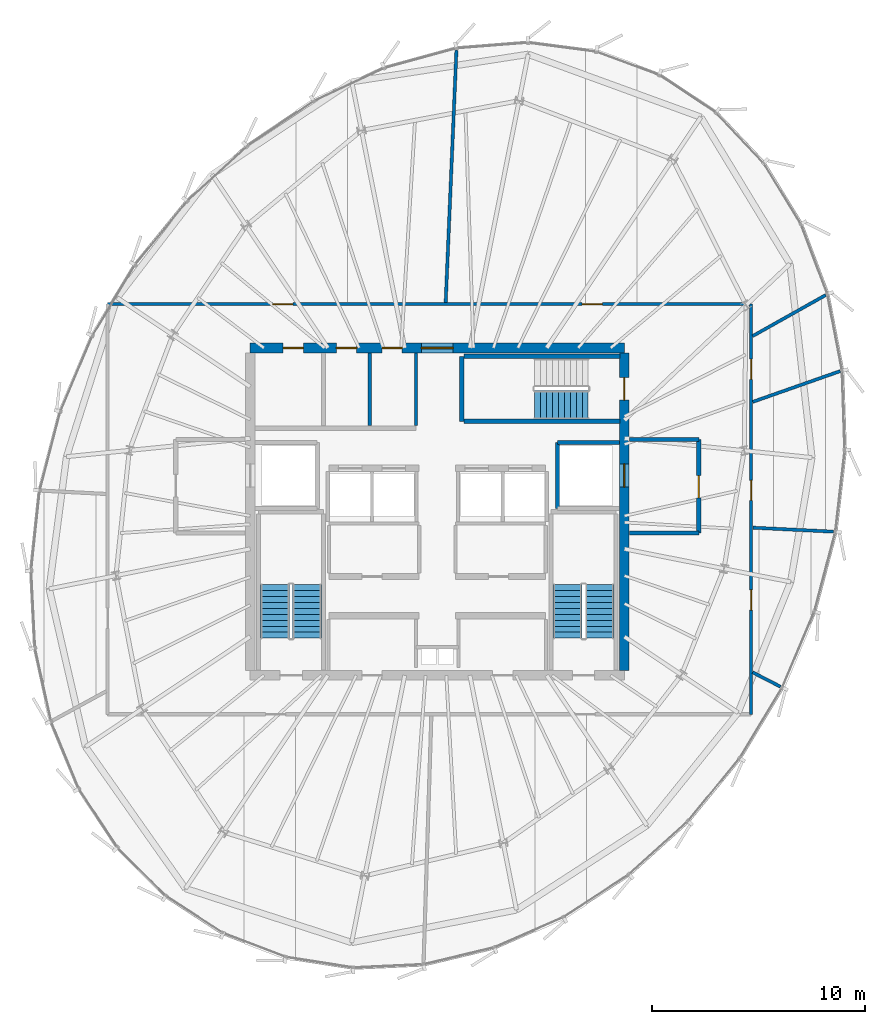
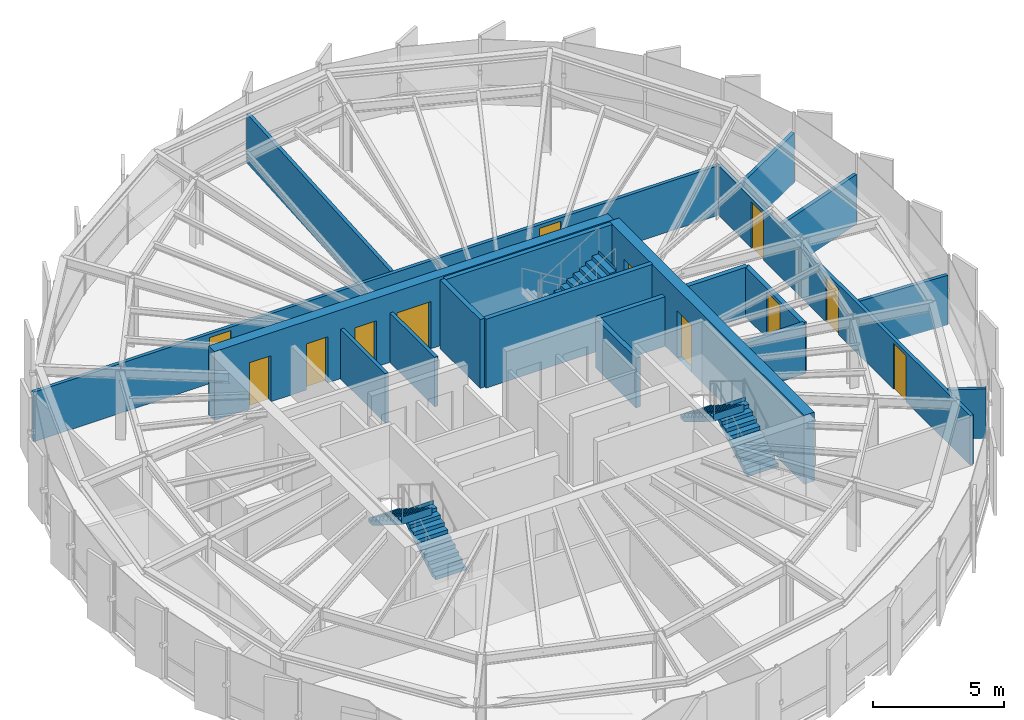
# One storey, part 26 of 31: 19 walls, 12 doors, 5 stair flights, 12 openings, 3 elements without a shape of their own.
"""IFC4 building model written with IfcOpenShell, lengths in metres."""

from ifc_helpers import new_model, si_unit, direction, frame, frame_2d, origin, place, context, subcontext, project, spatial, polyline, rectangle, outline, extrude, source, transform, mapped, material, layer, layer_set, type_object, element, fill, aggregate, save


model = new_model("IFC4")

# Units and contexts
model_context = context("Model", 3, precision=1e-05, world=origin(), true_north=direction((0.0, 1.0)))
body_context = subcontext(model_context, "Body", "Model", "MODEL_VIEW")
ifc_project = project(units=[si_unit("LENGTHUNIT", "METRE"), si_unit("AREAUNIT", "SQUARE_METRE"), si_unit("VOLUMEUNIT", "CUBIC_METRE"), si_unit("PLANEANGLEUNIT", "RADIAN"), si_unit("MASSUNIT", "GRAM", prefix="KILO"), si_unit("THERMODYNAMICTEMPERATUREUNIT", "KELVIN")], contexts=[model_context])

# Site, building, storey
site_placement = place(None, origin())
site = spatial("IfcSite", under=ifc_project, at=site_placement, CompositionType="ELEMENT")
building_placement = place(site_placement, origin())
building = spatial("IfcBuilding", under=site, at=building_placement, Name="Kethvar Cultural Tower", CompositionType="ELEMENT")
storey_placement = place(building_placement, frame((0.0, 0.0, 287.050048828125)))
storey = spatial("IfcBuildingStorey", under=building, at=storey_placement, Name="L76", CompositionType="ELEMENT", Elevation=287.050048828125)

# Wall, openings, doors
ifc_material_1 = material(Name="Concrete C50/60", Category="concrete")
ifc_layer_1 = layer(ifc_material_1, 0.449951171875, Name="Concrete C50/60", Category="concrete")
ifc_layer_set_1 = layer_set([ifc_layer_1], Name="Concrete C50/60 (450 mm)")
wall_type_1 = type_object("IfcWallType", Name="WL-CORE-450", PredefinedType="SHEAR", material=ifc_layer_set_1)
wall_1_placement = place(storey_placement, frame((55.60009765625, 35.5, 0.0), z_axis=(0.0, 0.0, 1.0), x_axis=(-1.0, 0.0, 0.0)))
wall_1 = element("IfcWall", 1, at=wall_1_placement, inside=storey, type_object=wall_type_1, Name="L76 Core Shear Wall N", PredefinedType="SHEAR", context=body_context, shape_type="SweptSolid", body=[
    extrude(rectangle(XDim=17.60009765625, YDim=0.449951171875, at=frame_2d((8.800048828125, 0.0))), origin(), (0.0, 0.0, 1.0), 3.2099609375),
])
opening_1_placement = place(wall_1_placement, frame((8.050048828125, 0.0, 0.0)))
opening_1 = element("IfcOpeningElement", 2, at=opening_1_placement, cuts=wall_1, Name="Opening D-L76-LN", PredefinedType="OPENING", context=body_context, shape_type="SweptSolid", body=[
    extrude(rectangle(XDim=1.5, YDim=2.199951171875, at=frame_2d((0.75, 1.10009765625))), frame((0.0, 0.23486328125, 0.0), z_axis=(0.0, -1.0, 0.0), x_axis=(1.0, 0.0, 0.0)), (0.0, 0.0, 1.0), 0.469970703125),
])
opening_2_placement = place(wall_1_placement, frame((15.10009765625, 0.0, 0.0)))
opening_2 = element("IfcOpeningElement", 3, at=opening_2_placement, cuts=wall_1, Name="Opening D-L76-E1", PredefinedType="OPENING", context=body_context, shape_type="SweptSolid", body=[
    extrude(rectangle(XDim=0.949951171875, YDim=2.14990234375, at=frame_2d((0.47509765625, 1.074951171875))), frame((0.0, 0.23486328125, 0.0), z_axis=(0.0, -1.0, 0.0), x_axis=(1.0, 0.0, 0.0)), (0.0, 0.0, 1.0), 0.469970703125),
])
opening_3_placement = place(wall_1_placement, frame((12.60009765625, 0.0, 0.0)))
opening_3 = element("IfcOpeningElement", 4, at=opening_3_placement, cuts=wall_1, Name="Opening D-L76-W1", PredefinedType="OPENING", context=body_context, shape_type="SweptSolid", body=[
    extrude(rectangle(XDim=0.949951171875, YDim=2.14990234375, at=frame_2d((0.47509765625, 1.074951171875))), frame((0.0, 0.23486328125, 0.0), z_axis=(0.0, -1.0, 0.0), x_axis=(1.0, 0.0, 0.0)), (0.0, 0.0, 1.0), 0.469970703125),
])
opening_4_placement = place(wall_1_placement, frame((10.449951171875, 0.0, 0.0)))
opening_4 = element("IfcOpeningElement", 5, at=opening_4_placement, cuts=wall_1, Name="Opening D-L76-W2", PredefinedType="OPENING", context=body_context, shape_type="SweptSolid", body=[
    extrude(rectangle(XDim=0.949951171875, YDim=2.14990234375, at=frame_2d((0.47509765625, 1.074951171875))), frame((0.0, 0.23486328125, 0.0), z_axis=(0.0, -1.0, 0.0), x_axis=(1.0, 0.0, 0.0)), (0.0, 0.0, 1.0), 0.469970703125),
])
ifc_material_2 = material(Name="Architectural Oak Timber", Category="wood")
door_type_1 = type_object("IfcDoorType", Name="DR-DBL-FD60-1500", OperationType="DOUBLE_DOOR_SINGLE_SWING", PredefinedType="DOOR", material=ifc_material_2)
shared_shape_1 = source(origin(), body_context, "Body", "SweptSolid", [
    extrude(rectangle(XDim=1.5, YDim=2.199951171875, at=frame_2d((0.75, 1.10009765625))), frame((0.0, 0.02490234375, 0.0), z_axis=(0.0, -1.0, 0.0), x_axis=(1.0, 0.0, 0.0)), (0.0, 0.0, 1.0), 0.050048828125),
])
door_1_placement = place(opening_1_placement, origin())
door_1 = element("IfcDoor", 6, at=door_1_placement, inside=storey, type_object=door_type_1, Name="L76 Lift Lobby Concourse Door", OperationType="DOUBLE_DOOR_SINGLE_SWING", OverallHeight=2.199951171875, OverallWidth=1.5, PredefinedType="DOOR", context=body_context, shape_type="MappedRepresentation", body=[
    mapped(shared_shape_1, transform((0.0, 0.0, 0.0), scale=1.0)),
])
fill(opening_1, door_1)
door_type_2 = type_object("IfcDoorType", Name="DR-FD30-950", OperationType="NOTDEFINED", PredefinedType="DOOR", material=ifc_material_2)
shared_shape_2 = source(origin(), body_context, "Body", "SweptSolid", [
    extrude(rectangle(XDim=0.949951171875, YDim=2.14990234375, at=frame_2d((0.47509765625, 1.074951171875))), frame((0.0, 0.02490234375, 0.0), z_axis=(0.0, -1.0, 0.0), x_axis=(1.0, 0.0, 0.0)), (0.0, 0.0, 1.0), 0.050048828125),
])
door_2_placement = place(opening_2_placement, origin())
door_2 = element("IfcDoor", 7, at=door_2_placement, inside=storey, type_object=door_type_2, Name="L76 Electrical Switchgear Door", OperationType="SINGLE_SWING_RIGHT", OverallHeight=2.14990234375, OverallWidth=0.949951171875, PredefinedType="DOOR", context=body_context, shape_type="MappedRepresentation", body=[
    mapped(shared_shape_2, transform((0.0, 0.0, 0.0), scale=1.0)),
])
fill(opening_2, door_2)
door_3_placement = place(opening_3_placement, origin())
door_3 = element("IfcDoor", 8, at=door_3_placement, inside=storey, type_object=door_type_2, Name="L76 Accessible Washroom Door", OperationType="SINGLE_SWING_LEFT", OverallHeight=2.14990234375, OverallWidth=0.949951171875, PredefinedType="DOOR", context=body_context, shape_type="MappedRepresentation", body=[
    mapped(shared_shape_2, transform((0.0, 0.0, 0.0), scale=1.0)),
])
fill(opening_3, door_3)
door_4_placement = place(opening_4_placement, origin())
door_4 = element("IfcDoor", 9, at=door_4_placement, inside=storey, type_object=door_type_2, Name="L76 Public Washroom Door", OperationType="SINGLE_SWING_RIGHT", OverallHeight=2.14990234375, OverallWidth=0.949951171875, PredefinedType="DOOR", context=body_context, shape_type="MappedRepresentation", body=[
    mapped(shared_shape_2, transform((0.0, 0.0, 0.0), scale=1.0)),
])
fill(opening_4, door_4)

wall_2_placement = place(storey_placement, frame((55.60009765625, 20.340087890625, 0.0), z_axis=(0.0, 0.0, 1.0), x_axis=(0.0, 1.0, 0.0)))
wall_2 = element("IfcWall", 10, at=wall_2_placement, inside=storey, type_object=wall_type_1, Name="L76 Core Shear Wall E", PredefinedType="SHEAR", context=body_context, shape_type="SweptSolid", body=[
    extrude(rectangle(XDim=14.919921875, YDim=0.449951171875, at=frame_2d((7.4599609375, 0.0))), origin(), (0.0, 0.0, 1.0), 3.2099609375),
])
opening_5_placement = place(wall_2_placement, frame((12.7099609375, 0.0, 0.0)))
opening_5 = element("IfcOpeningElement", 11, at=opening_5_placement, cuts=wall_2, Name="Opening D-L76-S3", PredefinedType="OPENING", context=body_context, shape_type="SweptSolid", body=[
    extrude(rectangle(XDim=1.050048828125, YDim=2.14990234375, at=frame_2d((0.52490234375, 1.074951171875))), frame((0.0, 0.23486328125, 0.0), z_axis=(0.0, -1.0, 0.0), x_axis=(1.0, 0.0, 0.0)), (0.0, 0.0, 1.0), 0.469970703125),
])
opening_6_placement = place(wall_2_placement, frame((8.610107421875, 0.0, 0.0)))
opening_6 = element("IfcOpeningElement", 12, at=opening_6_placement, cuts=wall_2, Name="Opening LD-2", PredefinedType="OPENING", context=body_context, shape_type="SweptSolid", body=[
    extrude(rectangle(XDim=1.10009765625, YDim=2.199951171875, at=frame_2d((0.550048828125, 1.10009765625))), frame((0.0, 0.23486328125, 0.0), z_axis=(0.0, -1.0, 0.0), x_axis=(1.0, 0.0, 0.0)), (0.0, 0.0, 1.0), 0.469970703125),
])
ifc_material_3 = material(Name="Steel S355J2", Category="steel")
door_type_3 = type_object("IfcDoorType", Name="DR-FD60-1050", OperationType="NOTDEFINED", PredefinedType="DOOR", material=ifc_material_3)
shared_shape_3 = source(origin(), body_context, "Body", "SweptSolid", [
    extrude(rectangle(XDim=1.050048828125, YDim=2.14990234375, at=frame_2d((0.52490234375, 1.074951171875))), frame((0.0, 0.02490234375, 0.0), z_axis=(0.0, -1.0, 0.0), x_axis=(1.0, 0.0, 0.0)), (0.0, 0.0, 1.0), 0.050048828125),
])
door_5_placement = place(opening_5_placement, origin())
door_5 = element("IfcDoor", 13, at=door_5_placement, inside=storey, type_object=door_type_3, Name="L76 Exit Stair 3 Door", OperationType="SINGLE_SWING_LEFT", OverallHeight=2.14990234375, OverallWidth=1.050048828125, PredefinedType="DOOR", context=body_context, shape_type="MappedRepresentation", body=[
    mapped(shared_shape_3, transform((0.0, 0.0, 0.0), scale=1.0)),
])
fill(opening_5, door_5)
door_type_4 = type_object("IfcDoorType", Name="DR-LIFT-SLIDE-1100", OperationType="NOTDEFINED", PredefinedType="DOOR", material=ifc_material_3)
shared_shape_4 = source(origin(), body_context, "Body", "SweptSolid", [
    extrude(rectangle(XDim=1.10009765625, YDim=2.199951171875, at=frame_2d((0.550048828125, 1.10009765625))), frame((0.0, 0.02490234375, 0.0), z_axis=(0.0, -1.0, 0.0), x_axis=(1.0, 0.0, 0.0)), (0.0, 0.0, 1.0), 0.050048828125),
])
door_6_placement = place(opening_6_placement, origin())
door_6 = element("IfcDoor", 14, at=door_6_placement, inside=storey, type_object=door_type_4, Name="L76 Firefighting Lift Landing Door FFL-02", OperationType="SLIDING_TO_RIGHT", OverallHeight=2.199951171875, OverallWidth=1.10009765625, PredefinedType="DOOR", context=body_context, shape_type="MappedRepresentation", body=[
    mapped(shared_shape_4, transform((0.0, 0.0, 0.0), scale=1.0)),
])
fill(opening_6, door_6)

# Wall
ifc_material_4 = material(Name="Gypsum Fireboard Partition")
ifc_layer_2 = layer(ifc_material_4, 0.14990234375, Name="Gypsum Fireboard Partition")
ifc_layer_set_2 = layer_set([ifc_layer_2], Name="Gypsum Fireboard Partition (150 mm)")
wall_type_2 = type_object("IfcWallType", Name="WL-FIRE-150", PredefinedType="PARTITIONING", material=ifc_layer_set_2)
wall_3_placement = place(storey_placement, frame((45.800048828125, 31.85009765625, 0.0), z_axis=(0.0, 0.0, 1.0), x_axis=(0.0, 1.0, 0.0)))
element("IfcWall", 15, at=wall_3_placement, inside=storey, type_object=wall_type_2, Name="L76 Sanitary Spine Wall", PredefinedType="PARTITIONING", context=body_context, shape_type="SweptSolid", body=[
    extrude(rectangle(XDim=3.414794921875, YDim=0.14990234375, at=frame_2d((1.70751953125, 0.0))), origin(), (0.0, 0.0, 1.0), 2.31494140625),
])

# Wall, openings, doors
wall_4_placement = place(storey_placement, frame((61.56396484375, 18.26904296875, 0.0), z_axis=(0.0, 0.0, 1.0), x_axis=(0.0, 1.0, 0.0)))
wall_4 = element("IfcWall", 16, at=wall_4_placement, inside=storey, type_object=wall_type_2, Name="L76 Corridor Rated Wall E", PredefinedType="PARTITIONING", context=body_context, shape_type="SweptSolid", body=[
    extrude(rectangle(XDim=19.29296875, YDim=0.14990234375, at=frame_2d((9.646484375, 0.0))), origin(), (0.0, 0.0, 1.0), 2.31494140625),
])
opening_7_placement = place(wall_4_placement, frame((4.902587890625, 0.0, 0.0)))
opening_7 = element("IfcOpeningElement", 17, at=opening_7_placement, cuts=wall_4, Name="Opening D-L76-03", PredefinedType="OPENING", context=body_context, shape_type="SweptSolid", body=[
    extrude(rectangle(XDim=0.949951171875, YDim=2.14990234375, at=frame_2d((0.47509765625, 1.074951171875))), frame((0.0, 0.0849609375, 0.0), z_axis=(0.0, -1.0, 0.0), x_axis=(1.0, 0.0, 0.0)), (0.0, 0.0, 1.0), 0.169921875),
])
opening_8_placement = place(wall_4_placement, frame((10.05859375, 0.0, 0.0)))
opening_8 = element("IfcOpeningElement", 18, at=opening_8_placement, cuts=wall_4, Name="Opening D-L76-04", PredefinedType="OPENING", context=body_context, shape_type="SweptSolid", body=[
    extrude(rectangle(XDim=0.949951171875, YDim=2.14990234375, at=frame_2d((0.47509765625, 1.074951171875))), frame((0.0, 0.0849609375, 0.0), z_axis=(0.0, -1.0, 0.0), x_axis=(1.0, 0.0, 0.0)), (0.0, 0.0, 1.0), 0.169921875),
])
opening_9_placement = place(wall_4_placement, frame((15.756103515625, 0.0, 0.0)))
opening_9 = element("IfcOpeningElement", 19, at=opening_9_placement, cuts=wall_4, Name="Opening D-L76-05", PredefinedType="OPENING", context=body_context, shape_type="SweptSolid", body=[
    extrude(rectangle(XDim=0.949951171875, YDim=2.14990234375, at=frame_2d((0.47509765625, 1.074951171875))), frame((0.0, 0.0849609375, 0.0), z_axis=(0.0, -1.0, 0.0), x_axis=(1.0, 0.0, 0.0)), (0.0, 0.0, 1.0), 0.169921875),
])
door_7_placement = place(opening_7_placement, origin())
door_7 = element("IfcDoor", 20, at=door_7_placement, inside=storey, type_object=door_type_2, Name="L76 Art Monograph Boutique 03 Door", OperationType="SINGLE_SWING_LEFT", OverallHeight=2.14990234375, OverallWidth=0.949951171875, PredefinedType="DOOR", context=body_context, shape_type="MappedRepresentation", body=[
    mapped(shared_shape_2, transform((0.0, 0.0, 0.0), scale=1.0)),
])
fill(opening_7, door_7)
door_8_placement = place(opening_8_placement, origin())
door_8 = element("IfcDoor", 21, at=door_8_placement, inside=storey, type_object=door_type_2, Name="L76 Poster Edition Shop 04 Door", OperationType="SINGLE_SWING_RIGHT", OverallHeight=2.14990234375, OverallWidth=0.949951171875, PredefinedType="DOOR", context=body_context, shape_type="MappedRepresentation", body=[
    mapped(shared_shape_2, transform((0.0, 0.0, 0.0), scale=1.0)),
])
fill(opening_8, door_8)
door_9_placement = place(opening_9_placement, origin())
door_9 = element("IfcDoor", 22, at=door_9_placement, inside=storey, type_object=door_type_2, Name="L76 Archival Facsimile Shop 05 Door", OperationType="SINGLE_SWING_LEFT", OverallHeight=2.14990234375, OverallWidth=0.949951171875, PredefinedType="DOOR", context=body_context, shape_type="MappedRepresentation", body=[
    mapped(shared_shape_2, transform((0.0, 0.0, 0.0), scale=1.0)),
])
fill(opening_9, door_9)

wall_5_placement = place(storey_placement, frame((61.56396484375, 37.56201171875, 0.0), z_axis=(0.0, 0.0, 1.0), x_axis=(-1.0, 0.0, 0.0)))
wall_5 = element("IfcWall", 23, at=wall_5_placement, inside=storey, type_object=wall_type_2, Name="L76 Corridor Rated Wall N", PredefinedType="PARTITIONING", context=body_context, shape_type="SweptSolid", body=[
    extrude(rectangle(XDim=30.27392578125, YDim=0.14990234375, at=frame_2d((15.136962890625, 0.0))), origin(), (0.0, 0.0, 1.0), 2.31494140625),
])
opening_10_placement = place(wall_5_placement, frame((7.001220703125, 0.0, 0.0)))
opening_10 = element("IfcOpeningElement", 24, at=opening_10_placement, cuts=wall_5, Name="Opening D-L76-06", PredefinedType="OPENING", context=body_context, shape_type="SweptSolid", body=[
    extrude(rectangle(XDim=0.949951171875, YDim=2.14990234375, at=frame_2d((0.47509765625, 1.074951171875))), frame((0.0, 0.0849609375, 0.0), z_axis=(0.0, -1.0, 0.0), x_axis=(1.0, 0.0, 0.0)), (0.0, 0.0, 1.0), 0.169921875),
])
opening_11_placement = place(wall_5_placement, frame((21.55810546875, 0.0, 0.0)))
opening_11 = element("IfcOpeningElement", 25, at=opening_11_placement, cuts=wall_5, Name="Opening D-L76-07", PredefinedType="OPENING", context=body_context, shape_type="SweptSolid", body=[
    extrude(rectangle(XDim=0.949951171875, YDim=2.14990234375, at=frame_2d((0.47509765625, 1.074951171875))), frame((0.0, 0.0849609375, 0.0), z_axis=(0.0, -1.0, 0.0), x_axis=(1.0, 0.0, 0.0)), (0.0, 0.0, 1.0), 0.169921875),
])
door_10_placement = place(opening_10_placement, origin())
door_10 = element("IfcDoor", 26, at=door_10_placement, inside=storey, type_object=door_type_2, Name="L76 Staff Tea Pantry 06 Door", OperationType="SINGLE_SWING_RIGHT", OverallHeight=2.14990234375, OverallWidth=0.949951171875, PredefinedType="DOOR", context=body_context, shape_type="MappedRepresentation", body=[
    mapped(shared_shape_2, transform((0.0, 0.0, 0.0), scale=1.0)),
])
fill(opening_10, door_10)
door_11_placement = place(opening_11_placement, origin())
door_11 = element("IfcDoor", 27, at=door_11_placement, inside=storey, type_object=door_type_2, Name="L76 Docent Espresso Pantry 07 Door", OperationType="SINGLE_SWING_LEFT", OverallHeight=2.14990234375, OverallWidth=0.949951171875, PredefinedType="DOOR", context=body_context, shape_type="MappedRepresentation", body=[
    mapped(shared_shape_2, transform((0.0, 0.0, 0.0), scale=1.0)),
])
fill(opening_11, door_11)

# Walls
ifc_material_5 = material(Name="Concrete C40/50", Category="concrete")
ifc_layer_3 = layer(ifc_material_5, 0.199951171875, Name="Concrete C40/50", Category="concrete")
ifc_layer_set_3 = layer_set([ifc_layer_3], Name="Concrete C40/50 (200 mm)")
wall_type_3 = type_object("IfcWallType", Name="WL-FIRE-200", PredefinedType="PARTITIONING", material=ifc_layer_set_3)
wall_6_placement = place(storey_placement, frame((52.449951171875, 27.949951171875, 0.0), z_axis=(0.0, 0.0, 1.0), x_axis=(0.0, 1.0, 0.0)))
element("IfcWall", 28, at=wall_6_placement, inside=storey, type_object=wall_type_3, Name="L76 FFL-02 Shaft Inner Wall", PredefinedType="PARTITIONING", context=body_context, shape_type="SweptSolid", body=[
    extrude(rectangle(XDim=3.10009765625, YDim=0.199951171875, at=frame_2d((1.550048828125, 0.0))), origin(), (0.0, 0.0, 1.0), 2.31494140625),
])
wall_7_placement = place(storey_placement, frame((52.449951171875, 31.050048828125, 0.0), z_axis=(0.0, 0.0, 1.0), x_axis=(1.0, 0.0, 0.0)))
element("IfcWall", 29, at=wall_7_placement, inside=storey, type_object=wall_type_3, Name="L76 FFL-02 Shaft North Wall", PredefinedType="PARTITIONING", context=body_context, shape_type="SweptSolid", body=[
    extrude(rectangle(XDim=2.9150390625, YDim=0.199951171875, at=frame_2d((1.45751953125, 0.0))), origin(), (0.0, 0.0, 1.0), 2.31494140625),
])

# Wall, opening, door
wall_8_placement = place(storey_placement, frame((59.10009765625, 26.800048828125, 0.0), z_axis=(0.0, 0.0, 1.0), x_axis=(0.0, 1.0, 0.0)))
wall_8 = element("IfcWall", 30, at=wall_8_placement, inside=storey, type_object=wall_type_3, Name="L76 Firefighting Lobby 2 Wall", PredefinedType="PARTITIONING", context=body_context, shape_type="SweptSolid", body=[
    extrude(rectangle(XDim=4.39990234375, YDim=0.199951171875, at=frame_2d((2.199951171875, 0.0))), origin(), (0.0, 0.0, 1.0), 2.31494140625),
])
opening_12_placement = place(wall_8_placement, frame((1.64990234375, 0.0, 0.0)))
opening_12 = element("IfcOpeningElement", 31, at=opening_12_placement, cuts=wall_8, Name="Opening D-L76-F2", PredefinedType="OPENING", context=body_context, shape_type="SweptSolid", body=[
    extrude(rectangle(XDim=1.050048828125, YDim=2.14990234375, at=frame_2d((0.52490234375, 1.074951171875))), frame((0.0, 0.10986328125, 0.0), z_axis=(0.0, -1.0, 0.0), x_axis=(1.0, 0.0, 0.0)), (0.0, 0.0, 1.0), 0.219970703125),
])
door_12_placement = place(opening_12_placement, origin())
door_12 = element("IfcDoor", 32, at=door_12_placement, inside=storey, type_object=door_type_3, Name="L76 Firefighting Lobby 2 Fire Door", OperationType="SINGLE_SWING_LEFT", OverallHeight=2.14990234375, OverallWidth=1.050048828125, PredefinedType="DOOR", context=body_context, shape_type="MappedRepresentation", body=[
    mapped(shared_shape_3, transform((0.0, 0.0, 0.0), scale=1.0)),
])
fill(opening_12, door_12)

# Walls
for number, where, z_axis, x_axis, name in (
    (33, (55.8349609375, 26.800048828125, 0.0), (0.0, 0.0, 1.0), (1.0, 0.0, 0.0), "L76 FF Lobby 2 South Wall"),
    (34, (55.8349609375, 31.199951171875, 0.0), (0.0, 0.0, 1.0), (1.0, 0.0, 0.0), "L76 FF Lobby 2 North Wall"),
):
    element("IfcWall", number, at=place(storey_placement, frame(where, z_axis=z_axis, x_axis=x_axis)), inside=storey, type_object=wall_type_3, Name=name, PredefinedType="PARTITIONING", context=body_context, shape_type="SweptSolid", body=[
        extrude(rectangle(XDim=3.26513671875, YDim=0.199951171875, at=frame_2d((1.632568359375, 0.0))), origin(), (0.0, 0.0, 1.0), 2.31494140625),
    ])
ifc_material_6 = material(Name="Gypsum Acoustic Partition")
ifc_layer_4 = layer(ifc_material_6, 0.14990234375, Name="Gypsum Acoustic Partition")
ifc_layer_set_4 = layer_set([ifc_layer_4], Name="Gypsum Acoustic Partition (150 mm)")
wall_type_4 = type_object("IfcWallType", Name="WL-PART-150", PredefinedType="PARTITIONING", material=ifc_layer_set_4)
wall_9_placement = place(storey_placement, frame((61.635009765625, 20.24072265625, 0.0), z_axis=(0.0, 0.0, 1.0), x_axis=(0.889062432136, -0.457785967199, 0.0)))
element("IfcWall", 35, at=wall_9_placement, inside=storey, type_object=wall_type_4, Name="L76 Radial Partition Wall 03", PredefinedType="PARTITIONING", context=body_context, shape_type="SweptSolid", body=[
    extrude(rectangle(XDim=1.4736328125, YDim=0.14990234375, at=frame_2d((0.73681640625, 0.0))), origin(), (0.0, 0.0, 1.0), 2.31494140625),
])
wall_10_placement = place(storey_placement, frame((61.643798828125, 27.04638671875, 0.0), z_axis=(0.0, 0.0, 1.0), x_axis=(0.998790354341, -0.049171415218, 0.0)))
element("IfcWall", 36, at=wall_10_placement, inside=storey, type_object=wall_type_4, Name="L76 Radial Partition Wall 04", PredefinedType="PARTITIONING", context=body_context, shape_type="SweptSolid", body=[
    extrude(rectangle(XDim=3.79833984375, YDim=0.14990234375, at=frame_2d((1.899169921875, 0.0))), origin(), (0.0, 0.0, 1.0), 2.31494140625),
])
wall_11_placement = place(storey_placement, frame((61.639404296875, 32.96533203125, 0.0), z_axis=(0.0, 0.0, 1.0), x_axis=(0.943392491145, 0.331678470287, 0.0)))
element("IfcWall", 37, at=wall_11_placement, inside=storey, type_object=wall_type_4, Name="L76 Radial Partition Wall 05", PredefinedType="PARTITIONING", context=body_context, shape_type="SweptSolid", body=[
    extrude(rectangle(XDim=4.363525390625, YDim=0.14990234375, at=frame_2d((2.181640625, 0.0))), origin(), (0.0, 0.0, 1.0), 2.31494140625),
])
wall_12_placement = place(storey_placement, frame((61.6337890625, 36.059814453125, 0.0), z_axis=(0.0, 0.0, 1.0), x_axis=(0.871963846329, 0.489570271457, 0.0)))
element("IfcWall", 38, at=wall_12_placement, inside=storey, type_object=wall_type_4, Name="L76 Radial Partition Wall 06", PredefinedType="PARTITIONING", context=body_context, shape_type="SweptSolid", body=[
    extrude(rectangle(XDim=3.943115234375, YDim=0.14990234375, at=frame_2d((1.9716796875, 0.0))), origin(), (0.0, 0.0, 1.0), 2.31494140625),
])
wall_13_placement = place(storey_placement, frame((47.19482421875, 37.641845703125, 0.0), z_axis=(0.0, 0.0, 1.0), x_axis=(0.042599425982, 0.999092232432, 0.0)))
element("IfcWall", 39, at=wall_13_placement, inside=storey, type_object=wall_type_4, Name="L76 Radial Partition Wall 07", PredefinedType="PARTITIONING", context=body_context, shape_type="SweptSolid", body=[
    extrude(rectangle(XDim=11.874755859375, YDim=0.14990234375, at=frame_2d((5.9375, 0.0))), origin(), (0.0, 0.0, 1.0), 2.31494140625),
])
ifc_material_7 = material(Name="Moisture-Resistant Sanitary Chase Wall")
ifc_layer_5 = layer(ifc_material_7, 0.14990234375, Name="Moisture-Resistant Sanitary Chase Wall")
ifc_layer_set_5 = layer_set([ifc_layer_5], Name="Moisture-Resistant Sanitary Chase Wall (150 mm)")
wall_type_5 = type_object("IfcWallType", Name="WL-PLUMB-150", PredefinedType="PLUMBINGWALL", material=ifc_layer_set_5)
wall_14_placement = place(storey_placement, frame((43.6201171875, 31.85009765625, 0.0), z_axis=(0.0, 0.0, 1.0), x_axis=(0.0, 1.0, 0.0)))
element("IfcWall", 40, at=wall_14_placement, inside=storey, type_object=wall_type_5, Name="L76 Sanitary Plumbing Wall", PredefinedType="PLUMBINGWALL", context=body_context, shape_type="SweptSolid", body=[
    extrude(rectangle(XDim=3.414794921875, YDim=0.14990234375, at=frame_2d((1.70751953125, 0.0))), origin(), (0.0, 0.0, 1.0), 2.31494140625),
])
ifc_layer_6 = layer(ifc_material_1, 0.199951171875, Name="Concrete C50/60", Category="concrete")
ifc_layer_set_6 = layer_set([ifc_layer_6], Name="Concrete C50/60 (200 mm)")
wall_type_6 = type_object("IfcWallType", Name="WL-STSHAFT-200", PredefinedType="SHEAR", material=ifc_layer_set_6)
wall_15_placement = place(storey_placement, frame((47.949951171875, 32.050048828125, 0.0), z_axis=(0.0, 0.0, 1.0), x_axis=(0.0, 1.0, 0.0)))
element("IfcWall", 41, at=wall_15_placement, inside=storey, type_object=wall_type_6, Name="L76 ST-03 Stair Shaft Wall FAR", PredefinedType="SHEAR", context=body_context, shape_type="SweptSolid", body=[
    extrude(rectangle(XDim=3.06005859375, YDim=0.199951171875, at=frame_2d((1.530029296875, 0.0))), origin(), (0.0, 0.0, 1.0), 3.2099609375),
])
for number, where, z_axis, x_axis, name in (
    (42, (48.050048828125, 35.110107421875, 0.0), (0.0, 0.0, 1.0), (1.0, 0.0, 0.0), "L76 ST-03 Stair Shaft Wall LEFT"),
    (43, (55.39990234375, 32.050048828125, 0.0), (0.0, 0.0, 1.0), (-1.0, 0.0, 0.0), "L76 ST-03 Stair Shaft Wall RIGHT"),
):
    element("IfcWall", number, at=place(storey_placement, frame(where, z_axis=z_axis, x_axis=x_axis)), inside=storey, type_object=wall_type_6, Name=name, PredefinedType="SHEAR", context=body_context, shape_type="SweptSolid", body=[
        extrude(rectangle(XDim=7.349853515625, YDim=0.199951171875, at=frame_2d((3.6748046875, 0.0))), origin(), (0.0, 0.0, 1.0), 3.2099609375),
    ])

# Stair, stair flights
stair_type = type_object("IfcStairType", Name="ST-DOGLEG-135", PredefinedType="HALF_TURN_STAIR", material=ifc_material_5)
stair_1_placement = place(storey_placement, origin())
stair_1 = element("IfcStair", 44, at=stair_1_placement, inside=storey, type_object=stair_type, Name="L76 Core Exit Stair 1", PredefinedType="HALF_TURN_STAIR")
stair_flight_type = type_object("IfcStairFlightType", Name="FL-STRAIGHT-135", PredefinedType="STRAIGHT", material=ifc_material_5)
stair_flight_1_placement = place(storey_placement, frame((40.675048828125, 21.85009765625, 0.0), z_axis=(0.0, 0.0, 1.0), x_axis=(0.0, 1.0, 0.0)))
stair_flight_1 = element("IfcStairFlight", 45, at=stair_flight_1_placement, type_object=stair_flight_type, Name="ST-01 flight 1", NumberOfRisers=10, NumberOfTreads=9, PredefinedType="STRAIGHT", RiserHeight=0.1725, TreadLength=0.28, context=body_context, shape_type="SweptSolid", body=[
    extrude(outline(polyline([(-0.0009765625, -0.0009765625), (-0.0009765625, 0.172607421875), (0.280029296875, 0.172607421875), (0.280029296875, 0.344970703125), (0.56005859375, 0.344970703125), (0.56005859375, 0.517578125), (0.840087890625, 0.517578125), (0.840087890625, 0.68994140625), (1.1201171875, 0.68994140625), (1.1201171875, 0.862548828125), (1.39990234375, 0.862548828125), (1.39990234375, 1.034912109375), (1.679931640625, 1.034912109375), (1.679931640625, 1.20751953125), (1.9599609375, 1.20751953125), (1.9599609375, 1.3798828125), (2.239990234375, 1.3798828125), (2.239990234375, 1.552490234375), (2.52001953125, 1.552490234375), (2.52001953125, 1.72509765625), (2.52099609375, 1.72509765625), (2.52099609375, 1.37646484375), (0.285888671875, 0.0), (0.0, -0.0009765625), (-0.0009765625, -0.0009765625)])), frame((0.0, 0.675048828125, 0.0), z_axis=(0.0, -1.0, 0.0), x_axis=(1.0, 0.0, 0.0)), (0.0, 0.0, 1.0), 1.35009765625),
])
stair_flight_2_placement = place(storey_placement, frame((39.1650390625, 24.3701171875, 1.724853515625), z_axis=(0.0, 0.0, 1.0), x_axis=(0.0, -1.0, 0.0)))
stair_flight_2 = element("IfcStairFlight", 46, at=stair_flight_2_placement, type_object=stair_flight_type, Name="ST-01 flight 2", NumberOfRisers=10, NumberOfTreads=9, PredefinedType="STRAIGHT", RiserHeight=0.1725, TreadLength=0.28, context=body_context, shape_type="SweptSolid", body=[
    extrude(outline(polyline([(-0.0009765625, -0.0009765625), (-0.0009765625, 0.172607421875), (0.280029296875, 0.172607421875), (0.280029296875, 0.344970703125), (0.56005859375, 0.344970703125), (0.56005859375, 0.517578125), (0.840087890625, 0.517578125), (0.840087890625, 0.68994140625), (1.1201171875, 0.68994140625), (1.1201171875, 0.862548828125), (1.39990234375, 0.862548828125), (1.39990234375, 1.034912109375), (1.679931640625, 1.034912109375), (1.679931640625, 1.20751953125), (1.9599609375, 1.20751953125), (1.9599609375, 1.3798828125), (2.239990234375, 1.3798828125), (2.239990234375, 1.552490234375), (2.52001953125, 1.552490234375), (2.52001953125, 1.72509765625), (2.52099609375, 1.72509765625), (2.52099609375, 1.37646484375), (0.285888671875, 0.0), (0.0, -0.0009765625), (-0.0009765625, -0.0009765625)])), frame((0.0, 0.675048828125, 0.0), z_axis=(0.0, -1.0, 0.0), x_axis=(1.0, 0.0, 0.0)), (0.0, 0.0, 1.0), 1.35009765625),
])
aggregate(stair_1, [stair_flight_1, stair_flight_2])

stair_2_placement = place(storey_placement, origin())
stair_2 = element("IfcStair", 47, at=stair_2_placement, inside=storey, type_object=stair_type, Name="L76 Core Exit Stair 2", PredefinedType="HALF_TURN_STAIR")
stair_flight_3_placement = place(storey_placement, frame((54.43505859375, 21.85009765625, 0.0), z_axis=(0.0, 0.0, 1.0), x_axis=(0.0, 1.0, 0.0)))
stair_flight_3 = element("IfcStairFlight", 48, at=stair_flight_3_placement, type_object=stair_flight_type, Name="ST-02 flight 1", NumberOfRisers=10, NumberOfTreads=9, PredefinedType="STRAIGHT", RiserHeight=0.1725, TreadLength=0.28, context=body_context, shape_type="SweptSolid", body=[
    extrude(outline(polyline([(-0.0009765625, -0.0009765625), (-0.0009765625, 0.172607421875), (0.280029296875, 0.172607421875), (0.280029296875, 0.344970703125), (0.56005859375, 0.344970703125), (0.56005859375, 0.517578125), (0.840087890625, 0.517578125), (0.840087890625, 0.68994140625), (1.1201171875, 0.68994140625), (1.1201171875, 0.862548828125), (1.39990234375, 0.862548828125), (1.39990234375, 1.034912109375), (1.679931640625, 1.034912109375), (1.679931640625, 1.20751953125), (1.9599609375, 1.20751953125), (1.9599609375, 1.3798828125), (2.239990234375, 1.3798828125), (2.239990234375, 1.552490234375), (2.52001953125, 1.552490234375), (2.52001953125, 1.72509765625), (2.52099609375, 1.72509765625), (2.52099609375, 1.37646484375), (0.285888671875, 0.0), (0.0, -0.0009765625), (-0.0009765625, -0.0009765625)])), frame((0.0, 0.675048828125, 0.0), z_axis=(0.0, -1.0, 0.0), x_axis=(1.0, 0.0, 0.0)), (0.0, 0.0, 1.0), 1.35009765625),
])
stair_flight_4_placement = place(storey_placement, frame((52.925048828125, 24.3701171875, 1.724853515625), z_axis=(0.0, 0.0, 1.0), x_axis=(0.0, -1.0, 0.0)))
stair_flight_4 = element("IfcStairFlight", 49, at=stair_flight_4_placement, type_object=stair_flight_type, Name="ST-02 flight 2", NumberOfRisers=10, NumberOfTreads=9, PredefinedType="STRAIGHT", RiserHeight=0.1725, TreadLength=0.28, context=body_context, shape_type="SweptSolid", body=[
    extrude(outline(polyline([(-0.0009765625, -0.0009765625), (-0.0009765625, 0.172607421875), (0.280029296875, 0.172607421875), (0.280029296875, 0.344970703125), (0.56005859375, 0.344970703125), (0.56005859375, 0.517578125), (0.840087890625, 0.517578125), (0.840087890625, 0.68994140625), (1.1201171875, 0.68994140625), (1.1201171875, 0.862548828125), (1.39990234375, 0.862548828125), (1.39990234375, 1.034912109375), (1.679931640625, 1.034912109375), (1.679931640625, 1.20751953125), (1.9599609375, 1.20751953125), (1.9599609375, 1.3798828125), (2.239990234375, 1.3798828125), (2.239990234375, 1.552490234375), (2.52001953125, 1.552490234375), (2.52001953125, 1.72509765625), (2.52099609375, 1.72509765625), (2.52099609375, 1.37646484375), (0.285888671875, 0.0), (0.0, -0.0009765625), (-0.0009765625, -0.0009765625)])), frame((0.0, 0.675048828125, 0.0), z_axis=(0.0, -1.0, 0.0), x_axis=(1.0, 0.0, 0.0)), (0.0, 0.0, 1.0), 1.35009765625),
])
aggregate(stair_2, [stair_flight_3, stair_flight_4])

# Stair, stair flight
stair_3_placement = place(storey_placement, origin())
stair_3 = element("IfcStair", 50, at=stair_3_placement, inside=storey, type_object=stair_type, Name="L76 Core Exit Stair 3", PredefinedType="HALF_TURN_STAIR")
stair_flight_5_placement = place(storey_placement, frame((51.3798828125, 32.824951171875, 1.724853515625), z_axis=(0.0, 0.0, 1.0), x_axis=(1.0, 0.0, 0.0)))
stair_flight_5 = element("IfcStairFlight", 51, at=stair_flight_5_placement, type_object=stair_flight_type, Name="ST-03 flight 2", NumberOfRisers=10, NumberOfTreads=9, PredefinedType="STRAIGHT", RiserHeight=0.1725, TreadLength=0.28, context=body_context, shape_type="SweptSolid", body=[
    extrude(outline(polyline([(-0.0009765625, -0.0009765625), (-0.0009765625, 0.172607421875), (0.280029296875, 0.172607421875), (0.280029296875, 0.344970703125), (0.56005859375, 0.344970703125), (0.56005859375, 0.517578125), (0.840087890625, 0.517578125), (0.840087890625, 0.68994140625), (1.1201171875, 0.68994140625), (1.1201171875, 0.862548828125), (1.39990234375, 0.862548828125), (1.39990234375, 1.034912109375), (1.679931640625, 1.034912109375), (1.679931640625, 1.20751953125), (1.9599609375, 1.20751953125), (1.9599609375, 1.3798828125), (2.239990234375, 1.3798828125), (2.239990234375, 1.552490234375), (2.52001953125, 1.552490234375), (2.52001953125, 1.72509765625), (2.52099609375, 1.72509765625), (2.52099609375, 1.37646484375), (0.285888671875, 0.0), (0.0, -0.0009765625), (-0.0009765625, -0.0009765625)])), frame((0.0, 0.675048828125, 0.0), z_axis=(0.0, -1.0, 0.0), x_axis=(1.0, 0.0, 0.0)), (0.0, 0.0, 1.0), 1.35009765625),
])
aggregate(stair_3, [stair_flight_5])

save(model, "model.ifc")
